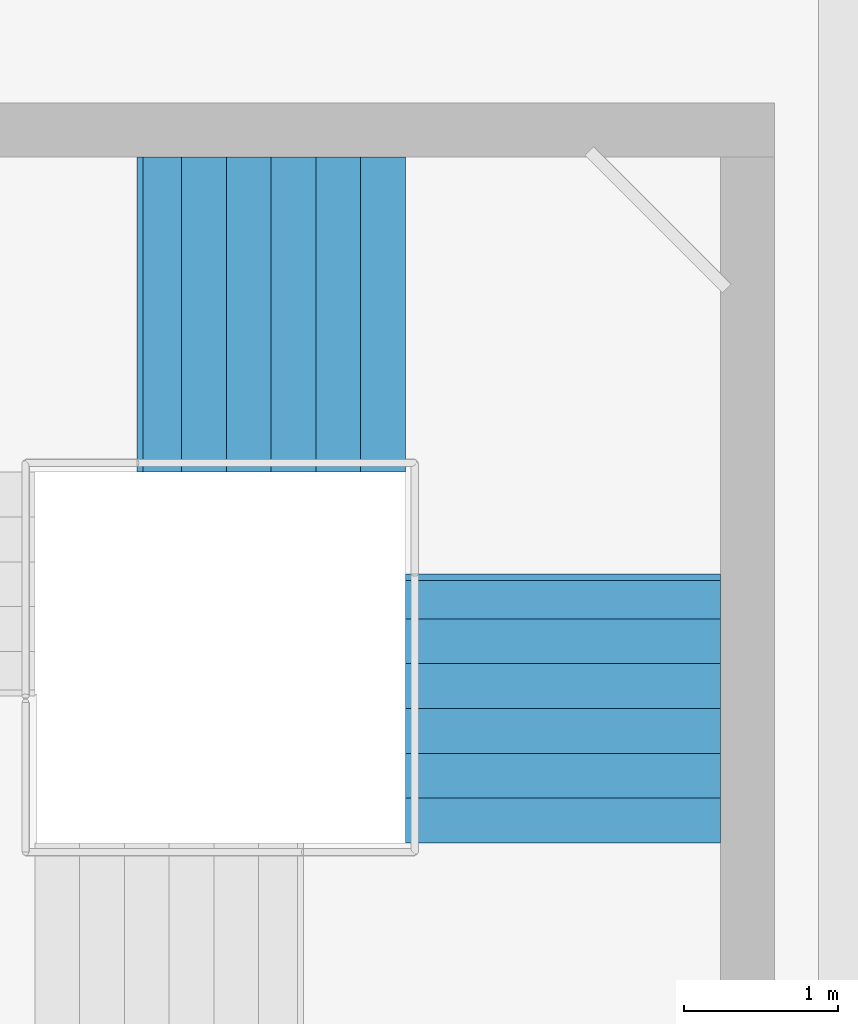
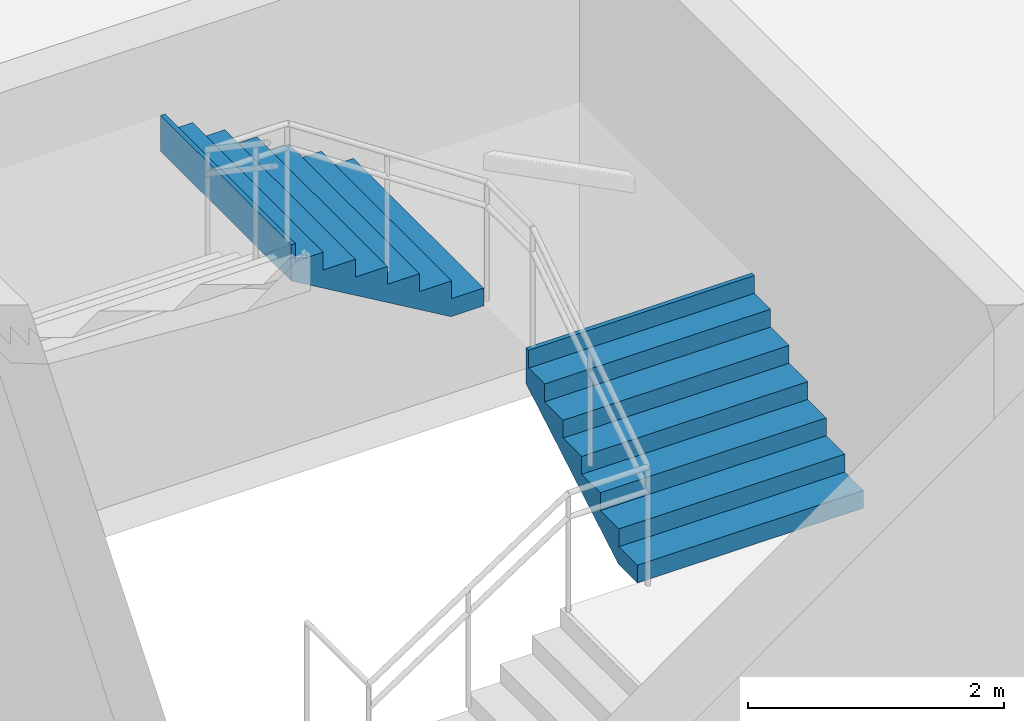
# One storey, part 19 of 32: 2 stair flights, 1 element without a shape of its own.
"""IFC4 building model written with IfcOpenShell, lengths in metres."""

from ifc_helpers import new_model, si_unit, direction, frame, origin, place, context, subcontext, project, spatial, triangles, material, type_object, element, aggregate, save


model = new_model("IFC4")

# Units and contexts
model_context = context("Model", 3, precision=1e-05, world=origin(), true_north=direction((0.0, 1.0)))
body_context = subcontext(model_context, "Body", "Model", "MODEL_VIEW")
ifc_project = project(units=[si_unit("LENGTHUNIT", "METRE"), si_unit("AREAUNIT", "SQUARE_METRE"), si_unit("VOLUMEUNIT", "CUBIC_METRE"), si_unit("PLANEANGLEUNIT", "RADIAN"), si_unit("MASSUNIT", "GRAM", prefix="KILO")], contexts=[model_context])

# Site, building, storey
site_placement = place(None, origin())
site = spatial("IfcSite", under=ifc_project, at=site_placement, CompositionType="ELEMENT")
building_placement = place(site_placement, origin())
building = spatial("IfcBuilding", under=site, at=building_placement, Name="Sillaruma Civic Art Gallery", CompositionType="ELEMENT")
storey_placement = place(building_placement, frame((0.0, 0.0, -4.590087890625)))
storey = spatial("IfcBuildingStorey", under=building, at=storey_placement, Name="B01", CompositionType="ELEMENT", Elevation=-4.590087890625)

# Stair, stair flights
ifc_material = material(Name="Concrete H35 (35 MPa)", Category="concrete")
stair_type = type_object("IfcStairType", Name="STR-4F-27", PredefinedType="USERDEFINED", material=ifc_material)
stair_placement = place(storey_placement, origin())
stair = element("IfcStair", 1, at=stair_placement, inside=storey, type_object=stair_type, Name="Protected Exit Stair ST-04 (East Bar) (B01)", ObjectType="THREE_RETURN_STAIR", PredefinedType="USERDEFINED")
stair_flight_type = type_object("IfcStairFlightType", Name="SFL-STR-7", PredefinedType="STRAIGHT", material=ifc_material)
stair_flight_1_placement = place(storey_placement, frame((104.320068359375, 53.25, 1.190185546875), z_axis=(0.0, 0.0, 1.0), x_axis=(0.0, 1.0, 0.0)))
stair_flight_1 = element("IfcStairFlight", 2, at=stair_flight_1_placement, type_object=stair_flight_type, Name="ST-04 flight 2", NumberOfRisers=7, NumberOfTreads=6, PredefinedType="STRAIGHT", RiserHeight=0.17, TreadLength=0.29, context=body_context, shape_type="Tessellation", body=[
    triangles([(0.0, -1.02001953125, 0.0), (0.29, -1.02001953125, 0.0), (0.296404, -1.02001953125, 0.0), (0.58, -1.02001953125, 0.166246), (0.87, -1.02001953125, 0.336246), (1.16, -1.02001953125, 0.506246), (1.45, -1.02001953125, 0.676246), (1.69999, -1.02001953125, 0.822792), (1.73999, -1.02001953125, 0.84624), (1.73999, -1.02001953125, 1.19), (1.69999, -1.02001953125, 1.19), (1.69999, -1.02001953125, 1.02), (1.45, -1.02001953125, 1.02), (1.45, -1.02001953125, 0.85), (1.16, -1.02001953125, 0.85), (1.16, -1.02001953125, 0.68), (0.87, -1.02001953125, 0.68), (0.87, -1.02001953125, 0.51), (0.58, -1.02001953125, 0.51), (0.58, -1.02001953125, 0.34), (0.296404, -1.02001953125, 0.34), (0.29, -1.02001953125, 0.34), (0.29, -1.02001953125, 0.17), (0.0, -1.02001953125, 0.17), (0.0, -0.05, 0.0), (0.29, -0.05, 0.0), (0.296404, -0.05, 0.0), (0.58, -0.05, 0.166246), (0.87, -0.05, 0.336246), (1.16, -0.05, 0.506246), (1.45, -0.05, 0.676246), (1.69999, -0.05, 0.822792), (1.73999, -0.05, 0.84624), (1.73999, -0.05, 1.19), (1.69999, -0.05, 1.19), (1.69999, -0.05, 1.02), (1.45, -0.05, 1.02), (1.45, -0.05, 0.85), (1.16, -0.05, 0.85), (1.16, -0.05, 0.68), (0.87, -0.05, 0.68), (0.87, -0.05, 0.51), (0.58, -0.05, 0.51), (0.58, -0.05, 0.34), (0.296404, -0.05, 0.34), (0.29, -0.05, 0.34), (0.29, -0.05, 0.17), (0.0, -0.05, 0.17), (0.0, -0.0375, 0.0), (0.29, -0.0375, 0.0), (0.296404, -0.0375, 0.0), (0.58, -0.0375, 0.166246), (0.87, -0.0375, 0.336246), (1.16, -0.0375, 0.506246), (1.45, -0.0375, 0.676246), (1.69999, -0.0375, 0.822792), (1.73999, -0.0375, 0.84624), (1.73999, -0.0375, 1.19), (1.69999, -0.0375, 1.19), (1.69999, -0.0375, 1.02), (1.45, -0.0375, 1.02), (1.45, -0.0375, 0.85), (1.16, -0.0375, 0.85), (1.16, -0.0375, 0.68), (0.87, -0.0375, 0.68), (0.87, -0.0375, 0.51), (0.58, -0.0375, 0.51), (0.58, -0.0375, 0.34), (0.296404, -0.0375, 0.34), (0.29, -0.0375, 0.34), (0.29, -0.0375, 0.17), (0.0, -0.0375, 0.17), (0.0, -0.025, 0.0), (0.29, -0.025, 0.0), (0.296404, -0.025, 0.0), (0.58, -0.025, 0.166246), (0.87, -0.025, 0.336246), (1.16, -0.025, 0.506246), (1.45, -0.025, 0.676246), (1.69999, -0.025, 0.822792), (1.73999, -0.025, 0.84624), (1.73999, -0.025, 1.19), (1.69999, -0.025, 1.19), (1.69999, -0.025, 1.02), (1.45, -0.025, 1.02), (1.45, -0.025, 0.85), (1.16, -0.025, 0.85), (1.16, -0.025, 0.68), (0.87, -0.025, 0.68), (0.87, -0.025, 0.51), (0.58, -0.025, 0.51), (0.58, -0.025, 0.34), (0.296404, -0.025, 0.34), (0.29, -0.025, 0.34), (0.29, -0.025, 0.17), (0.0, -0.025, 0.17), (0.0, -0.0125, 0.0), (0.29, -0.0125, 0.0), (0.296404, -0.0125, 0.0), (0.58, -0.0125, 0.166246), (0.87, -0.0125, 0.336246), (1.16, -0.0125, 0.506246), (1.45, -0.0125, 0.676246), (1.69999, -0.0125, 0.822792), (1.73999, -0.0125, 0.84624), (1.73999, -0.0125, 1.19), (1.69999, -0.0125, 1.19), (1.69999, -0.0125, 1.02), (1.45, -0.0125, 1.02), (1.45, -0.0125, 0.85), (1.16, -0.0125, 0.85), (1.16, -0.0125, 0.68), (0.87, -0.0125, 0.68), (0.87, -0.0125, 0.51), (0.58, -0.0125, 0.51), (0.58, -0.0125, 0.34), (0.296404, -0.0125, 0.34), (0.29, -0.0125, 0.34), (0.29, -0.0125, 0.17), (0.0, -0.0125, 0.17), (0.0, 0.0, 0.0), (0.29, 0.0, 0.0), (0.296404, 0.0, 0.0), (0.58, 0.0, 0.166246), (0.87, 0.0, 0.336246), (1.16, 0.0, 0.506246), (1.45, 0.0, 0.676246), (1.69999, 0.0, 0.822792), (1.73999, 0.0, 0.84624), (1.73999, 0.0, 1.19), (1.69999, 0.0, 1.19), (1.69999, 0.0, 1.02), (1.45, 0.0, 1.02), (1.45, 0.0, 0.85), (1.16, 0.0, 0.85), (1.16, 0.0, 0.68), (0.87, 0.0, 0.68), (0.87, 0.0, 0.51), (0.58, 0.0, 0.51), (0.58, 0.0, 0.34), (0.296404, 0.0, 0.34), (0.29, 0.0, 0.34), (0.29, 0.0, 0.17), (0.0, 0.0, 0.17), (0.0, 0.0125, 0.0), (0.29, 0.0125, 0.0), (0.296404, 0.0125, 0.0), (0.58, 0.0125, 0.166246), (0.87, 0.0125, 0.336246), (1.16, 0.0125, 0.506246), (1.45, 0.0125, 0.676246), (1.69999, 0.0125, 0.822792), (1.73999, 0.0125, 0.84624), (1.73999, 0.0125, 1.19), (1.69999, 0.0125, 1.19), (1.69999, 0.0125, 1.02), (1.45, 0.0125, 1.02), (1.45, 0.0125, 0.85), (1.16, 0.0125, 0.85), (1.16, 0.0125, 0.68), (0.87, 0.0125, 0.68), (0.87, 0.0125, 0.51), (0.58, 0.0125, 0.51), (0.58, 0.0125, 0.34), (0.296404, 0.0125, 0.34), (0.29, 0.0125, 0.34), (0.29, 0.0125, 0.17), (0.0, 0.0125, 0.17), (0.0, 0.025, 0.0), (0.29, 0.025, 0.0), (0.296404, 0.025, 0.0), (0.58, 0.025, 0.166246), (0.87, 0.025, 0.336246), (1.16, 0.025, 0.506246), (1.45, 0.025, 0.676246), (1.69999, 0.025, 0.822792), (1.73999, 0.025, 0.84624), (1.73999, 0.025, 1.19), (1.69999, 0.025, 1.19), (1.69999, 0.025, 1.02), (1.45, 0.025, 1.02), (1.45, 0.025, 0.85), (1.16, 0.025, 0.85), (1.16, 0.025, 0.68), (0.87, 0.025, 0.68), (0.87, 0.025, 0.51), (0.58, 0.025, 0.51), (0.58, 0.025, 0.34), (0.296404, 0.025, 0.34), (0.29, 0.025, 0.34), (0.29, 0.025, 0.17), (0.0, 0.025, 0.17), (0.0, 0.0375, 0.0), (0.29, 0.0375, 0.0), (0.296404, 0.0375, 0.0), (0.58, 0.0375, 0.166246), (0.87, 0.0375, 0.336246), (1.16, 0.0375, 0.506246), (1.45, 0.0375, 0.676246), (1.69999, 0.0375, 0.822792), (1.73999, 0.0375, 0.84624), (1.73999, 0.0375, 1.19), (1.69999, 0.0375, 1.19), (1.69999, 0.0375, 1.02), (1.45, 0.0375, 1.02), (1.45, 0.0375, 0.85), (1.16, 0.0375, 0.85), (1.16, 0.0375, 0.68), (0.87, 0.0375, 0.68), (0.87, 0.0375, 0.51), (0.58, 0.0375, 0.51), (0.58, 0.0375, 0.34), (0.296404, 0.0375, 0.34), (0.29, 0.0375, 0.34), (0.29, 0.0375, 0.17), (0.0, 0.0375, 0.17), (0.0, 0.05, 0.0), (0.29, 0.05, 0.0), (0.296404, 0.05, 0.0), (0.58, 0.05, 0.166246), (0.87, 0.05, 0.336246), (1.16, 0.05, 0.506246), (1.45, 0.05, 0.676246), (1.69999, 0.05, 0.822792), (1.73999, 0.05, 0.84624), (1.73999, 0.05, 1.19), (1.69999, 0.05, 1.19), (1.69999, 0.05, 1.02), (1.45, 0.05, 1.02), (1.45, 0.05, 0.85), (1.16, 0.05, 0.85), (1.16, 0.05, 0.68), (0.87, 0.05, 0.68), (0.87, 0.05, 0.51), (0.58, 0.05, 0.51), (0.58, 0.05, 0.34), (0.296404, 0.05, 0.34), (0.29, 0.05, 0.34), (0.29, 0.05, 0.17), (0.0, 0.05, 0.17), (0.0, 1.02001953125, 0.0), (0.29, 1.02001953125, 0.0), (0.296404, 1.02001953125, 0.0), (0.58, 1.02001953125, 0.166246), (0.87, 1.02001953125, 0.336246), (1.16, 1.02001953125, 0.506246), (1.45, 1.02001953125, 0.676246), (1.69999, 1.02001953125, 0.822792), (1.73999, 1.02001953125, 0.84624), (1.73999, 1.02001953125, 1.19), (1.69999, 1.02001953125, 1.19), (1.69999, 1.02001953125, 1.02), (1.45, 1.02001953125, 1.02), (1.45, 1.02001953125, 0.85), (1.16, 1.02001953125, 0.85), (1.16, 1.02001953125, 0.68), (0.87, 1.02001953125, 0.68), (0.87, 1.02001953125, 0.51), (0.58, 1.02001953125, 0.51), (0.58, 1.02001953125, 0.34), (0.296404, 1.02001953125, 0.34), (0.29, 1.02001953125, 0.34), (0.29, 1.02001953125, 0.17), (0.0, 1.02001953125, 0.17)], [[1, 2, 23], [1, 23, 24], [2, 3, 21], [2, 21, 23], [23, 21, 22], [3, 4, 20], [3, 20, 21], [4, 5, 18], [4, 18, 20], [20, 18, 19], [5, 6, 16], [5, 16, 18], [18, 16, 17], [6, 7, 14], [6, 14, 16], [16, 14, 15], [7, 8, 12], [7, 12, 14], [14, 12, 13], [8, 9, 10], [8, 10, 12], [12, 10, 11], [263, 242, 241], [264, 263, 241], [261, 243, 242], [263, 261, 242], [262, 261, 263], [260, 244, 243], [261, 260, 243], [258, 245, 244], [260, 258, 244], [259, 258, 260], [256, 246, 245], [258, 256, 245], [257, 256, 258], [254, 247, 246], [256, 254, 246], [255, 254, 256], [252, 248, 247], [254, 252, 247], [253, 252, 254], [250, 249, 248], [252, 250, 248], [251, 250, 252], [2, 1, 25], [2, 25, 26], [3, 2, 26], [3, 26, 27], [4, 3, 27], [4, 27, 28], [5, 4, 28], [5, 28, 29], [6, 5, 29], [6, 29, 30], [7, 6, 30], [7, 30, 31], [8, 7, 31], [8, 31, 32], [9, 8, 32], [9, 32, 33], [10, 9, 33], [10, 33, 34], [11, 10, 34], [11, 34, 35], [12, 11, 35], [12, 35, 36], [13, 12, 36], [13, 36, 37], [14, 13, 37], [14, 37, 38], [15, 14, 38], [15, 38, 39], [16, 15, 39], [16, 39, 40], [17, 16, 40], [17, 40, 41], [18, 17, 41], [18, 41, 42], [19, 18, 42], [19, 42, 43], [20, 19, 43], [20, 43, 44], [21, 20, 44], [21, 44, 45], [22, 21, 45], [22, 45, 46], [23, 22, 46], [23, 46, 47], [24, 23, 47], [24, 47, 48], [1, 24, 48], [1, 48, 25], [26, 25, 49], [26, 49, 50], [27, 26, 50], [27, 50, 51], [28, 27, 51], [28, 51, 52], [29, 28, 52], [29, 52, 53], [30, 29, 53], [30, 53, 54], [31, 30, 54], [31, 54, 55], [32, 31, 55], [32, 55, 56], [33, 32, 56], [33, 56, 57], [34, 33, 57], [34, 57, 58], [35, 34, 58], [35, 58, 59], [36, 35, 59], [36, 59, 60], [37, 36, 60], [37, 60, 61], [38, 37, 61], [38, 61, 62], [39, 38, 62], [39, 62, 63], [40, 39, 63], [40, 63, 64], [41, 40, 64], [41, 64, 65], [42, 41, 65], [42, 65, 66], [43, 42, 66], [43, 66, 67], [44, 43, 67], [44, 67, 68], [45, 44, 68], [45, 68, 69], [46, 45, 69], [46, 69, 70], [47, 46, 70], [47, 70, 71], [48, 47, 71], [48, 71, 72], [25, 48, 72], [25, 72, 49], [50, 49, 73], [50, 73, 74], [51, 50, 74], [51, 74, 75], [52, 51, 75], [52, 75, 76], [53, 52, 76], [53, 76, 77], [54, 53, 77], [54, 77, 78], [55, 54, 78], [55, 78, 79], [56, 55, 79], [56, 79, 80], [57, 56, 80], [57, 80, 81], [58, 57, 81], [58, 81, 82], [59, 58, 82], [59, 82, 83], [60, 59, 83], [60, 83, 84], [61, 60, 84], [61, 84, 85], [62, 61, 85], [62, 85, 86], [63, 62, 86], [63, 86, 87], [64, 63, 87], [64, 87, 88], [65, 64, 88], [65, 88, 89], [66, 65, 89], [66, 89, 90], [67, 66, 90], [67, 90, 91], [68, 67, 91], [68, 91, 92], [69, 68, 92], [69, 92, 93], [70, 69, 93], [70, 93, 94], [71, 70, 94], [71, 94, 95], [72, 71, 95], [72, 95, 96], [49, 72, 96], [49, 96, 73], [74, 73, 97], [74, 97, 98], [75, 74, 98], [75, 98, 99], [76, 75, 99], [76, 99, 100], [77, 76, 100], [77, 100, 101], [78, 77, 101], [78, 101, 102], [79, 78, 102], [79, 102, 103], [80, 79, 103], [80, 103, 104], [81, 80, 104], [81, 104, 105], [82, 81, 105], [82, 105, 106], [83, 82, 106], [83, 106, 107], [84, 83, 107], [84, 107, 108], [85, 84, 108], [85, 108, 109], [86, 85, 109], [86, 109, 110], [87, 86, 110], [87, 110, 111], [88, 87, 111], [88, 111, 112], [89, 88, 112], [89, 112, 113], [90, 89, 113], [90, 113, 114], [91, 90, 114], [91, 114, 115], [92, 91, 115], [92, 115, 116], [93, 92, 116], [93, 116, 117], [94, 93, 117], [94, 117, 118], [95, 94, 118], [95, 118, 119], [96, 95, 119], [96, 119, 120], [73, 96, 120], [73, 120, 97], [98, 97, 121], [98, 121, 122], [99, 98, 122], [99, 122, 123], [100, 99, 123], [100, 123, 124], [101, 100, 124], [101, 124, 125], [102, 101, 125], [102, 125, 126], [103, 102, 126], [103, 126, 127], [104, 103, 127], [104, 127, 128], [105, 104, 128], [105, 128, 129], [106, 105, 129], [106, 129, 130], [107, 106, 130], [107, 130, 131], [108, 107, 131], [108, 131, 132], [109, 108, 132], [109, 132, 133], [110, 109, 133], [110, 133, 134], [111, 110, 134], [111, 134, 135], [112, 111, 135], [112, 135, 136], [113, 112, 136], [113, 136, 137], [114, 113, 137], [114, 137, 138], [115, 114, 138], [115, 138, 139], [116, 115, 139], [116, 139, 140], [117, 116, 140], [117, 140, 141], [118, 117, 141], [118, 141, 142], [119, 118, 142], [119, 142, 143], [120, 119, 143], [120, 143, 144], [97, 120, 144], [97, 144, 121], [122, 121, 145], [122, 145, 146], [123, 122, 146], [123, 146, 147], [124, 123, 147], [124, 147, 148], [125, 124, 148], [125, 148, 149], [126, 125, 149], [126, 149, 150], [127, 126, 150], [127, 150, 151], [128, 127, 151], [128, 151, 152], [129, 128, 152], [129, 152, 153], [130, 129, 153], [130, 153, 154], [131, 130, 154], [131, 154, 155], [132, 131, 155], [132, 155, 156], [133, 132, 156], [133, 156, 157], [134, 133, 157], [134, 157, 158], [135, 134, 158], [135, 158, 159], [136, 135, 159], [136, 159, 160], [137, 136, 160], [137, 160, 161], [138, 137, 161], [138, 161, 162], [139, 138, 162], [139, 162, 163], [140, 139, 163], [140, 163, 164], [141, 140, 164], [141, 164, 165], [142, 141, 165], [142, 165, 166], [143, 142, 166], [143, 166, 167], [144, 143, 167], [144, 167, 168], [121, 144, 168], [121, 168, 145], [146, 145, 169], [146, 169, 170], [147, 146, 170], [147, 170, 171], [148, 147, 171], [148, 171, 172], [149, 148, 172], [149, 172, 173], [150, 149, 173], [150, 173, 174], [151, 150, 174], [151, 174, 175], [152, 151, 175], [152, 175, 176], [153, 152, 176], [153, 176, 177], [154, 153, 177], [154, 177, 178], [155, 154, 178], [155, 178, 179], [156, 155, 179], [156, 179, 180], [157, 156, 180], [157, 180, 181], [158, 157, 181], [158, 181, 182], [159, 158, 182], [159, 182, 183], [160, 159, 183], [160, 183, 184], [161, 160, 184], [161, 184, 185], [162, 161, 185], [162, 185, 186], [163, 162, 186], [163, 186, 187], [164, 163, 187], [164, 187, 188], [165, 164, 188], [165, 188, 189], [166, 165, 189], [166, 189, 190], [167, 166, 190], [167, 190, 191], [168, 167, 191], [168, 191, 192], [145, 168, 192], [145, 192, 169], [170, 169, 193], [170, 193, 194], [171, 170, 194], [171, 194, 195], [172, 171, 195], [172, 195, 196], [173, 172, 196], [173, 196, 197], [174, 173, 197], [174, 197, 198], [175, 174, 198], [175, 198, 199], [176, 175, 199], [176, 199, 200], [177, 176, 200], [177, 200, 201], [178, 177, 201], [178, 201, 202], [179, 178, 202], [179, 202, 203], [180, 179, 203], [180, 203, 204], [181, 180, 204], [181, 204, 205], [182, 181, 205], [182, 205, 206], [183, 182, 206], [183, 206, 207], [184, 183, 207], [184, 207, 208], [185, 184, 208], [185, 208, 209], [186, 185, 209], [186, 209, 210], [187, 186, 210], [187, 210, 211], [188, 187, 211], [188, 211, 212], [189, 188, 212], [189, 212, 213], [190, 189, 213], [190, 213, 214], [191, 190, 214], [191, 214, 215], [192, 191, 215], [192, 215, 216], [169, 192, 216], [169, 216, 193], [194, 193, 217], [194, 217, 218], [195, 194, 218], [195, 218, 219], [196, 195, 219], [196, 219, 220], [197, 196, 220], [197, 220, 221], [198, 197, 221], [198, 221, 222], [199, 198, 222], [199, 222, 223], [200, 199, 223], [200, 223, 224], [201, 200, 224], [201, 224, 225], [202, 201, 225], [202, 225, 226], [203, 202, 226], [203, 226, 227], [204, 203, 227], [204, 227, 228], [205, 204, 228], [205, 228, 229], [206, 205, 229], [206, 229, 230], [207, 206, 230], [207, 230, 231], [208, 207, 231], [208, 231, 232], [209, 208, 232], [209, 232, 233], [210, 209, 233], [210, 233, 234], [211, 210, 234], [211, 234, 235], [212, 211, 235], [212, 235, 236], [213, 212, 236], [213, 236, 237], [214, 213, 237], [214, 237, 238], [215, 214, 238], [215, 238, 239], [216, 215, 239], [216, 239, 240], [193, 216, 240], [193, 240, 217], [218, 217, 241], [218, 241, 242], [219, 218, 242], [219, 242, 243], [220, 219, 243], [220, 243, 244], [221, 220, 244], [221, 244, 245], [222, 221, 245], [222, 245, 246], [223, 222, 246], [223, 246, 247], [224, 223, 247], [224, 247, 248], [225, 224, 248], [225, 248, 249], [226, 225, 249], [226, 249, 250], [227, 226, 250], [227, 250, 251], [228, 227, 251], [228, 251, 252], [229, 228, 252], [229, 252, 253], [230, 229, 253], [230, 253, 254], [231, 230, 254], [231, 254, 255], [232, 231, 255], [232, 255, 256], [233, 232, 256], [233, 256, 257], [234, 233, 257], [234, 257, 258], [235, 234, 258], [235, 258, 259], [236, 235, 259], [236, 259, 260], [237, 236, 260], [237, 260, 261], [238, 237, 261], [238, 261, 262], [239, 238, 262], [239, 262, 263], [240, 239, 263], [240, 263, 264], [217, 240, 264], [217, 264, 241]], closed=True),
])
stair_flight_2_placement = place(storey_placement, frame((103.300048828125, 56.669921875, 2.380126953125), z_axis=(0.0, 0.0, 1.0), x_axis=(-1.0, 0.0, 0.0)))
stair_flight_2 = element("IfcStairFlight", 3, at=stair_flight_2_placement, type_object=stair_flight_type, Name="ST-04 flight 3", NumberOfRisers=7, NumberOfTreads=6, PredefinedType="STRAIGHT", RiserHeight=0.17, TreadLength=0.29, context=body_context, shape_type="Tessellation", body=[
    triangles([(0.0, -1.02001953125, 0.0), (0.29, -1.02001953125, 0.0), (0.296404, -1.02001953125, 0.0), (0.58, -1.02001953125, 0.166246), (0.87, -1.02001953125, 0.336246), (1.16, -1.02001953125, 0.506246), (1.45, -1.02001953125, 0.676246), (1.69999, -1.02001953125, 0.822792), (1.73999, -1.02001953125, 0.84624), (1.73999, -1.02001953125, 1.19), (1.69999, -1.02001953125, 1.19), (1.69999, -1.02001953125, 1.02), (1.45, -1.02001953125, 1.02), (1.45, -1.02001953125, 0.85), (1.16, -1.02001953125, 0.85), (1.16, -1.02001953125, 0.68), (0.87, -1.02001953125, 0.68), (0.87, -1.02001953125, 0.51), (0.58, -1.02001953125, 0.51), (0.58, -1.02001953125, 0.34), (0.296404, -1.02001953125, 0.34), (0.29, -1.02001953125, 0.34), (0.29, -1.02001953125, 0.17), (0.0, -1.02001953125, 0.17), (0.0, -0.05, 0.0), (0.29, -0.05, 0.0), (0.296404, -0.05, 0.0), (0.58, -0.05, 0.166246), (0.87, -0.05, 0.336246), (1.16, -0.05, 0.506246), (1.45, -0.05, 0.676246), (1.69999, -0.05, 0.822792), (1.73999, -0.05, 0.84624), (1.73999, -0.05, 1.19), (1.69999, -0.05, 1.19), (1.69999, -0.05, 1.02), (1.45, -0.05, 1.02), (1.45, -0.05, 0.85), (1.16, -0.05, 0.85), (1.16, -0.05, 0.68), (0.87, -0.05, 0.68), (0.87, -0.05, 0.51), (0.58, -0.05, 0.51), (0.58, -0.05, 0.34), (0.296404, -0.05, 0.34), (0.29, -0.05, 0.34), (0.29, -0.05, 0.17), (0.0, -0.05, 0.17), (0.0, -0.0375, 0.0), (0.29, -0.0375, 0.0), (0.296404, -0.0375, 0.0), (0.58, -0.0375, 0.166246), (0.87, -0.0375, 0.336246), (1.16, -0.0375, 0.506246), (1.45, -0.0375, 0.676246), (1.69999, -0.0375, 0.822792), (1.73999, -0.0375, 0.84624), (1.73999, -0.0375, 1.19), (1.69999, -0.0375, 1.19), (1.69999, -0.0375, 1.02), (1.45, -0.0375, 1.02), (1.45, -0.0375, 0.85), (1.16, -0.0375, 0.85), (1.16, -0.0375, 0.68), (0.87, -0.0375, 0.68), (0.87, -0.0375, 0.51), (0.58, -0.0375, 0.51), (0.58, -0.0375, 0.34), (0.296404, -0.0375, 0.34), (0.29, -0.0375, 0.34), (0.29, -0.0375, 0.17), (0.0, -0.0375, 0.17), (0.0, -0.025, 0.0), (0.29, -0.025, 0.0), (0.296404, -0.025, 0.0), (0.58, -0.025, 0.166246), (0.87, -0.025, 0.336246), (1.16, -0.025, 0.506246), (1.45, -0.025, 0.676246), (1.69999, -0.025, 0.822792), (1.73999, -0.025, 0.84624), (1.73999, -0.025, 1.19), (1.69999, -0.025, 1.19), (1.69999, -0.025, 1.02), (1.45, -0.025, 1.02), (1.45, -0.025, 0.85), (1.16, -0.025, 0.85), (1.16, -0.025, 0.68), (0.87, -0.025, 0.68), (0.87, -0.025, 0.51), (0.58, -0.025, 0.51), (0.58, -0.025, 0.34), (0.296404, -0.025, 0.34), (0.29, -0.025, 0.34), (0.29, -0.025, 0.17), (0.0, -0.025, 0.17), (0.0, -0.0125, 0.0), (0.29, -0.0125, 0.0), (0.296404, -0.0125, 0.0), (0.58, -0.0125, 0.166246), (0.87, -0.0125, 0.336246), (1.16, -0.0125, 0.506246), (1.45, -0.0125, 0.676246), (1.69999, -0.0125, 0.822792), (1.73999, -0.0125, 0.84624), (1.73999, -0.0125, 1.19), (1.69999, -0.0125, 1.19), (1.69999, -0.0125, 1.02), (1.45, -0.0125, 1.02), (1.45, -0.0125, 0.85), (1.16, -0.0125, 0.85), (1.16, -0.0125, 0.68), (0.87, -0.0125, 0.68), (0.87, -0.0125, 0.51), (0.58, -0.0125, 0.51), (0.58, -0.0125, 0.34), (0.296404, -0.0125, 0.34), (0.29, -0.0125, 0.34), (0.29, -0.0125, 0.17), (0.0, -0.0125, 0.17), (0.0, 0.0, 0.0), (0.29, 0.0, 0.0), (0.296404, 0.0, 0.0), (0.58, 0.0, 0.166246), (0.87, 0.0, 0.336246), (1.16, 0.0, 0.506246), (1.45, 0.0, 0.676246), (1.69999, 0.0, 0.822792), (1.73999, 0.0, 0.84624), (1.73999, 0.0, 1.19), (1.69999, 0.0, 1.19), (1.69999, 0.0, 1.02), (1.45, 0.0, 1.02), (1.45, 0.0, 0.85), (1.16, 0.0, 0.85), (1.16, 0.0, 0.68), (0.87, 0.0, 0.68), (0.87, 0.0, 0.51), (0.58, 0.0, 0.51), (0.58, 0.0, 0.34), (0.296404, 0.0, 0.34), (0.29, 0.0, 0.34), (0.29, 0.0, 0.17), (0.0, 0.0, 0.17), (0.0, 0.0125, 0.0), (0.29, 0.0125, 0.0), (0.296404, 0.0125, 0.0), (0.58, 0.0125, 0.166246), (0.87, 0.0125, 0.336246), (1.16, 0.0125, 0.506246), (1.45, 0.0125, 0.676246), (1.69999, 0.0125, 0.822792), (1.73999, 0.0125, 0.84624), (1.73999, 0.0125, 1.19), (1.69999, 0.0125, 1.19), (1.69999, 0.0125, 1.02), (1.45, 0.0125, 1.02), (1.45, 0.0125, 0.85), (1.16, 0.0125, 0.85), (1.16, 0.0125, 0.68), (0.87, 0.0125, 0.68), (0.87, 0.0125, 0.51), (0.58, 0.0125, 0.51), (0.58, 0.0125, 0.34), (0.296404, 0.0125, 0.34), (0.29, 0.0125, 0.34), (0.29, 0.0125, 0.17), (0.0, 0.0125, 0.17), (0.0, 0.025, 0.0), (0.29, 0.025, 0.0), (0.296404, 0.025, 0.0), (0.58, 0.025, 0.166246), (0.87, 0.025, 0.336246), (1.16, 0.025, 0.506246), (1.45, 0.025, 0.676246), (1.69999, 0.025, 0.822792), (1.73999, 0.025, 0.84624), (1.73999, 0.025, 1.19), (1.69999, 0.025, 1.19), (1.69999, 0.025, 1.02), (1.45, 0.025, 1.02), (1.45, 0.025, 0.85), (1.16, 0.025, 0.85), (1.16, 0.025, 0.68), (0.87, 0.025, 0.68), (0.87, 0.025, 0.51), (0.58, 0.025, 0.51), (0.58, 0.025, 0.34), (0.296404, 0.025, 0.34), (0.29, 0.025, 0.34), (0.29, 0.025, 0.17), (0.0, 0.025, 0.17), (0.0, 0.0375, 0.0), (0.29, 0.0375, 0.0), (0.296404, 0.0375, 0.0), (0.58, 0.0375, 0.166246), (0.87, 0.0375, 0.336246), (1.16, 0.0375, 0.506246), (1.45, 0.0375, 0.676246), (1.69999, 0.0375, 0.822792), (1.73999, 0.0375, 0.84624), (1.73999, 0.0375, 1.19), (1.69999, 0.0375, 1.19), (1.69999, 0.0375, 1.02), (1.45, 0.0375, 1.02), (1.45, 0.0375, 0.85), (1.16, 0.0375, 0.85), (1.16, 0.0375, 0.68), (0.87, 0.0375, 0.68), (0.87, 0.0375, 0.51), (0.58, 0.0375, 0.51), (0.58, 0.0375, 0.34), (0.296404, 0.0375, 0.34), (0.29, 0.0375, 0.34), (0.29, 0.0375, 0.17), (0.0, 0.0375, 0.17), (0.0, 0.05, 0.0), (0.29, 0.05, 0.0), (0.296404, 0.05, 0.0), (0.58, 0.05, 0.166246), (0.87, 0.05, 0.336246), (1.16, 0.05, 0.506246), (1.45, 0.05, 0.676246), (1.69999, 0.05, 0.822792), (1.73999, 0.05, 0.84624), (1.73999, 0.05, 1.19), (1.69999, 0.05, 1.19), (1.69999, 0.05, 1.02), (1.45, 0.05, 1.02), (1.45, 0.05, 0.85), (1.16, 0.05, 0.85), (1.16, 0.05, 0.68), (0.87, 0.05, 0.68), (0.87, 0.05, 0.51), (0.58, 0.05, 0.51), (0.58, 0.05, 0.34), (0.296404, 0.05, 0.34), (0.29, 0.05, 0.34), (0.29, 0.05, 0.17), (0.0, 0.05, 0.17), (0.0, 1.02001953125, 0.0), (0.29, 1.02001953125, 0.0), (0.296404, 1.02001953125, 0.0), (0.58, 1.02001953125, 0.166246), (0.87, 1.02001953125, 0.336246), (1.16, 1.02001953125, 0.506246), (1.45, 1.02001953125, 0.676246), (1.69999, 1.02001953125, 0.822792), (1.73999, 1.02001953125, 0.84624), (1.73999, 1.02001953125, 1.19), (1.69999, 1.02001953125, 1.19), (1.69999, 1.02001953125, 1.02), (1.45, 1.02001953125, 1.02), (1.45, 1.02001953125, 0.85), (1.16, 1.02001953125, 0.85), (1.16, 1.02001953125, 0.68), (0.87, 1.02001953125, 0.68), (0.87, 1.02001953125, 0.51), (0.58, 1.02001953125, 0.51), (0.58, 1.02001953125, 0.34), (0.296404, 1.02001953125, 0.34), (0.29, 1.02001953125, 0.34), (0.29, 1.02001953125, 0.17), (0.0, 1.02001953125, 0.17)], [[1, 2, 23], [1, 23, 24], [2, 3, 21], [2, 21, 23], [23, 21, 22], [3, 4, 20], [3, 20, 21], [4, 5, 18], [4, 18, 20], [20, 18, 19], [5, 6, 16], [5, 16, 18], [18, 16, 17], [6, 7, 14], [6, 14, 16], [16, 14, 15], [7, 8, 12], [7, 12, 14], [14, 12, 13], [8, 9, 10], [8, 10, 12], [12, 10, 11], [263, 242, 241], [264, 263, 241], [261, 243, 242], [263, 261, 242], [262, 261, 263], [260, 244, 243], [261, 260, 243], [258, 245, 244], [260, 258, 244], [259, 258, 260], [256, 246, 245], [258, 256, 245], [257, 256, 258], [254, 247, 246], [256, 254, 246], [255, 254, 256], [252, 248, 247], [254, 252, 247], [253, 252, 254], [250, 249, 248], [252, 250, 248], [251, 250, 252], [2, 1, 25], [2, 25, 26], [3, 2, 26], [3, 26, 27], [4, 3, 27], [4, 27, 28], [5, 4, 28], [5, 28, 29], [6, 5, 29], [6, 29, 30], [7, 6, 30], [7, 30, 31], [8, 7, 31], [8, 31, 32], [9, 8, 32], [9, 32, 33], [10, 9, 33], [10, 33, 34], [11, 10, 34], [11, 34, 35], [12, 11, 35], [12, 35, 36], [13, 12, 36], [13, 36, 37], [14, 13, 37], [14, 37, 38], [15, 14, 38], [15, 38, 39], [16, 15, 39], [16, 39, 40], [17, 16, 40], [17, 40, 41], [18, 17, 41], [18, 41, 42], [19, 18, 42], [19, 42, 43], [20, 19, 43], [20, 43, 44], [21, 20, 44], [21, 44, 45], [22, 21, 45], [22, 45, 46], [23, 22, 46], [23, 46, 47], [24, 23, 47], [24, 47, 48], [1, 24, 48], [1, 48, 25], [26, 25, 49], [26, 49, 50], [27, 26, 50], [27, 50, 51], [28, 27, 51], [28, 51, 52], [29, 28, 52], [29, 52, 53], [30, 29, 53], [30, 53, 54], [31, 30, 54], [31, 54, 55], [32, 31, 55], [32, 55, 56], [33, 32, 56], [33, 56, 57], [34, 33, 57], [34, 57, 58], [35, 34, 58], [35, 58, 59], [36, 35, 59], [36, 59, 60], [37, 36, 60], [37, 60, 61], [38, 37, 61], [38, 61, 62], [39, 38, 62], [39, 62, 63], [40, 39, 63], [40, 63, 64], [41, 40, 64], [41, 64, 65], [42, 41, 65], [42, 65, 66], [43, 42, 66], [43, 66, 67], [44, 43, 67], [44, 67, 68], [45, 44, 68], [45, 68, 69], [46, 45, 69], [46, 69, 70], [47, 46, 70], [47, 70, 71], [48, 47, 71], [48, 71, 72], [25, 48, 72], [25, 72, 49], [50, 49, 73], [50, 73, 74], [51, 50, 74], [51, 74, 75], [52, 51, 75], [52, 75, 76], [53, 52, 76], [53, 76, 77], [54, 53, 77], [54, 77, 78], [55, 54, 78], [55, 78, 79], [56, 55, 79], [56, 79, 80], [57, 56, 80], [57, 80, 81], [58, 57, 81], [58, 81, 82], [59, 58, 82], [59, 82, 83], [60, 59, 83], [60, 83, 84], [61, 60, 84], [61, 84, 85], [62, 61, 85], [62, 85, 86], [63, 62, 86], [63, 86, 87], [64, 63, 87], [64, 87, 88], [65, 64, 88], [65, 88, 89], [66, 65, 89], [66, 89, 90], [67, 66, 90], [67, 90, 91], [68, 67, 91], [68, 91, 92], [69, 68, 92], [69, 92, 93], [70, 69, 93], [70, 93, 94], [71, 70, 94], [71, 94, 95], [72, 71, 95], [72, 95, 96], [49, 72, 96], [49, 96, 73], [74, 73, 97], [74, 97, 98], [75, 74, 98], [75, 98, 99], [76, 75, 99], [76, 99, 100], [77, 76, 100], [77, 100, 101], [78, 77, 101], [78, 101, 102], [79, 78, 102], [79, 102, 103], [80, 79, 103], [80, 103, 104], [81, 80, 104], [81, 104, 105], [82, 81, 105], [82, 105, 106], [83, 82, 106], [83, 106, 107], [84, 83, 107], [84, 107, 108], [85, 84, 108], [85, 108, 109], [86, 85, 109], [86, 109, 110], [87, 86, 110], [87, 110, 111], [88, 87, 111], [88, 111, 112], [89, 88, 112], [89, 112, 113], [90, 89, 113], [90, 113, 114], [91, 90, 114], [91, 114, 115], [92, 91, 115], [92, 115, 116], [93, 92, 116], [93, 116, 117], [94, 93, 117], [94, 117, 118], [95, 94, 118], [95, 118, 119], [96, 95, 119], [96, 119, 120], [73, 96, 120], [73, 120, 97], [98, 97, 121], [98, 121, 122], [99, 98, 122], [99, 122, 123], [100, 99, 123], [100, 123, 124], [101, 100, 124], [101, 124, 125], [102, 101, 125], [102, 125, 126], [103, 102, 126], [103, 126, 127], [104, 103, 127], [104, 127, 128], [105, 104, 128], [105, 128, 129], [106, 105, 129], [106, 129, 130], [107, 106, 130], [107, 130, 131], [108, 107, 131], [108, 131, 132], [109, 108, 132], [109, 132, 133], [110, 109, 133], [110, 133, 134], [111, 110, 134], [111, 134, 135], [112, 111, 135], [112, 135, 136], [113, 112, 136], [113, 136, 137], [114, 113, 137], [114, 137, 138], [115, 114, 138], [115, 138, 139], [116, 115, 139], [116, 139, 140], [117, 116, 140], [117, 140, 141], [118, 117, 141], [118, 141, 142], [119, 118, 142], [119, 142, 143], [120, 119, 143], [120, 143, 144], [97, 120, 144], [97, 144, 121], [122, 121, 145], [122, 145, 146], [123, 122, 146], [123, 146, 147], [124, 123, 147], [124, 147, 148], [125, 124, 148], [125, 148, 149], [126, 125, 149], [126, 149, 150], [127, 126, 150], [127, 150, 151], [128, 127, 151], [128, 151, 152], [129, 128, 152], [129, 152, 153], [130, 129, 153], [130, 153, 154], [131, 130, 154], [131, 154, 155], [132, 131, 155], [132, 155, 156], [133, 132, 156], [133, 156, 157], [134, 133, 157], [134, 157, 158], [135, 134, 158], [135, 158, 159], [136, 135, 159], [136, 159, 160], [137, 136, 160], [137, 160, 161], [138, 137, 161], [138, 161, 162], [139, 138, 162], [139, 162, 163], [140, 139, 163], [140, 163, 164], [141, 140, 164], [141, 164, 165], [142, 141, 165], [142, 165, 166], [143, 142, 166], [143, 166, 167], [144, 143, 167], [144, 167, 168], [121, 144, 168], [121, 168, 145], [146, 145, 169], [146, 169, 170], [147, 146, 170], [147, 170, 171], [148, 147, 171], [148, 171, 172], [149, 148, 172], [149, 172, 173], [150, 149, 173], [150, 173, 174], [151, 150, 174], [151, 174, 175], [152, 151, 175], [152, 175, 176], [153, 152, 176], [153, 176, 177], [154, 153, 177], [154, 177, 178], [155, 154, 178], [155, 178, 179], [156, 155, 179], [156, 179, 180], [157, 156, 180], [157, 180, 181], [158, 157, 181], [158, 181, 182], [159, 158, 182], [159, 182, 183], [160, 159, 183], [160, 183, 184], [161, 160, 184], [161, 184, 185], [162, 161, 185], [162, 185, 186], [163, 162, 186], [163, 186, 187], [164, 163, 187], [164, 187, 188], [165, 164, 188], [165, 188, 189], [166, 165, 189], [166, 189, 190], [167, 166, 190], [167, 190, 191], [168, 167, 191], [168, 191, 192], [145, 168, 192], [145, 192, 169], [170, 169, 193], [170, 193, 194], [171, 170, 194], [171, 194, 195], [172, 171, 195], [172, 195, 196], [173, 172, 196], [173, 196, 197], [174, 173, 197], [174, 197, 198], [175, 174, 198], [175, 198, 199], [176, 175, 199], [176, 199, 200], [177, 176, 200], [177, 200, 201], [178, 177, 201], [178, 201, 202], [179, 178, 202], [179, 202, 203], [180, 179, 203], [180, 203, 204], [181, 180, 204], [181, 204, 205], [182, 181, 205], [182, 205, 206], [183, 182, 206], [183, 206, 207], [184, 183, 207], [184, 207, 208], [185, 184, 208], [185, 208, 209], [186, 185, 209], [186, 209, 210], [187, 186, 210], [187, 210, 211], [188, 187, 211], [188, 211, 212], [189, 188, 212], [189, 212, 213], [190, 189, 213], [190, 213, 214], [191, 190, 214], [191, 214, 215], [192, 191, 215], [192, 215, 216], [169, 192, 216], [169, 216, 193], [194, 193, 217], [194, 217, 218], [195, 194, 218], [195, 218, 219], [196, 195, 219], [196, 219, 220], [197, 196, 220], [197, 220, 221], [198, 197, 221], [198, 221, 222], [199, 198, 222], [199, 222, 223], [200, 199, 223], [200, 223, 224], [201, 200, 224], [201, 224, 225], [202, 201, 225], [202, 225, 226], [203, 202, 226], [203, 226, 227], [204, 203, 227], [204, 227, 228], [205, 204, 228], [205, 228, 229], [206, 205, 229], [206, 229, 230], [207, 206, 230], [207, 230, 231], [208, 207, 231], [208, 231, 232], [209, 208, 232], [209, 232, 233], [210, 209, 233], [210, 233, 234], [211, 210, 234], [211, 234, 235], [212, 211, 235], [212, 235, 236], [213, 212, 236], [213, 236, 237], [214, 213, 237], [214, 237, 238], [215, 214, 238], [215, 238, 239], [216, 215, 239], [216, 239, 240], [193, 216, 240], [193, 240, 217], [218, 217, 241], [218, 241, 242], [219, 218, 242], [219, 242, 243], [220, 219, 243], [220, 243, 244], [221, 220, 244], [221, 244, 245], [222, 221, 245], [222, 245, 246], [223, 222, 246], [223, 246, 247], [224, 223, 247], [224, 247, 248], [225, 224, 248], [225, 248, 249], [226, 225, 249], [226, 249, 250], [227, 226, 250], [227, 250, 251], [228, 227, 251], [228, 251, 252], [229, 228, 252], [229, 252, 253], [230, 229, 253], [230, 253, 254], [231, 230, 254], [231, 254, 255], [232, 231, 255], [232, 255, 256], [233, 232, 256], [233, 256, 257], [234, 233, 257], [234, 257, 258], [235, 234, 258], [235, 258, 259], [236, 235, 259], [236, 259, 260], [237, 236, 260], [237, 260, 261], [238, 237, 261], [238, 261, 262], [239, 238, 262], [239, 262, 263], [240, 239, 263], [240, 263, 264], [217, 240, 264], [217, 264, 241]], closed=True),
])
aggregate(stair, [stair_flight_1, stair_flight_2])

save(model, "model.ifc")
